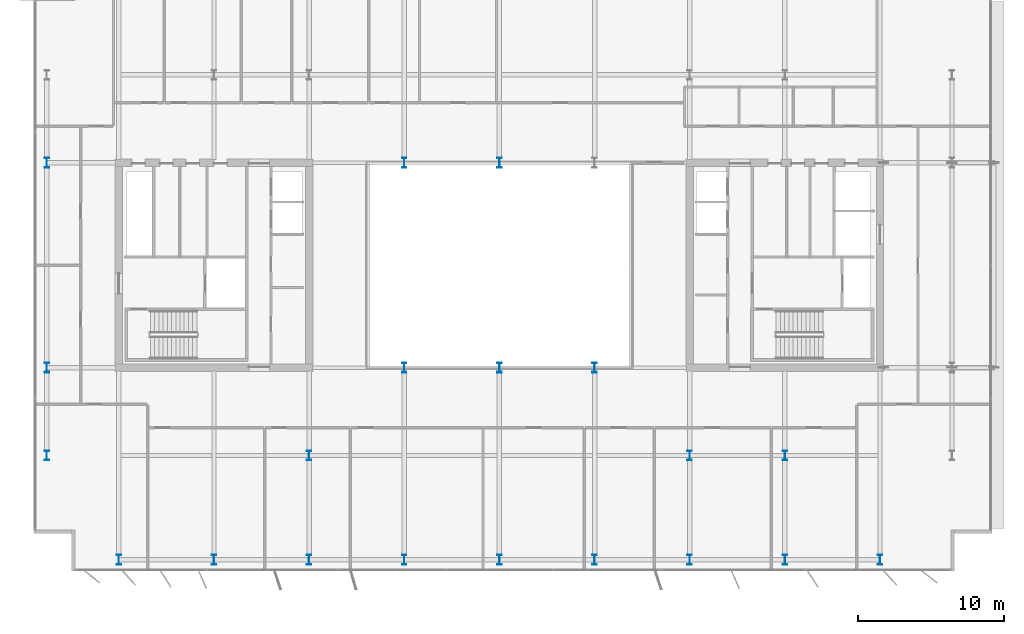
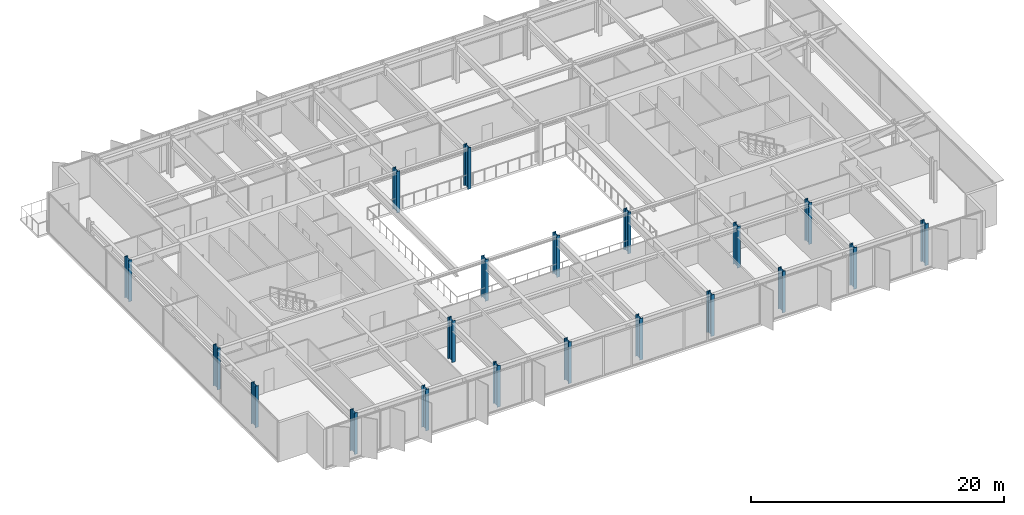
# One storey, part 1 of 20: 20 columns.
"""IFC4 building model written with IfcOpenShell, lengths in metres."""

import ifcopenshell
import ifcopenshell.guid

model = None  # the IFC model being written
_history = None  # IfcOwnerHistory: only IFC2X3 demands one
_inside = {}  # id of a spatial element -> (the spatial element, [elements in it])
_under = {}  # id of a project, library or spatial element -> (it, [spatial elements below it])
_declared = {}  # id of a project -> (the project, [libraries it declares])
_typed = {}  # id of a type object -> (the type object, [elements of that type])
_made_of = {}  # id of a material, layer set ... -> (it, [elements and type objects made of it])


def new_model(schema):
    """Start an empty IFC model of exactly this schema.

    Asked for "IFC4X3", IfcOpenShell would pick the latest addendum, in which some entities
    have other attributes; the version numbers below select the first issue.
    IFC2X3 requires an IfcOwnerHistory on every rooted entity: one is made here for all.
    """
    global model, _history
    if schema == "IFC4X3":
        model = ifcopenshell.file(schema_version=(4, 3, 0, 0))
    else:
        model = ifcopenshell.file(schema=schema)
    _inside.clear()
    _under.clear()
    _declared.clear()
    _typed.clear()
    _made_of.clear()
    _history = None
    if model.schema == "IFC2X3":
        org = make("IfcOrganization", Name="unknown")
        user = make(
            "IfcPersonAndOrganization",
            ThePerson=make("IfcPerson", FamilyName="unknown"),
            TheOrganization=org,
        )
        app = make(
            "IfcApplication",
            ApplicationDeveloper=org,
            Version="unknown",
            ApplicationFullName="unknown",
            ApplicationIdentifier="unknown",
        )
        _history = make(
            "IfcOwnerHistory",
            OwningUser=user,
            OwningApplication=app,
            ChangeAction="ADDED",
            CreationDate=0,
        )
    return model


def make(cls, **values):
    """One entity of the class cls with the attributes given. An attribute that is None is left unset."""
    return model.create_entity(
        cls, **{name: value for name, value in values.items() if value is not None}
    )


def rooted(cls, **values):
    """An entity with a GlobalId (a new one), such as an element, a storey or a relation."""
    return make(cls, GlobalId=ifcopenshell.guid.new(), OwnerHistory=_history, **values)


def si_unit(unit_type, name, prefix=None):
    """IfcSIUnit, for example si_unit("LENGTHUNIT", "METRE", prefix="MILLI")."""
    return make("IfcSIUnit", UnitType=unit_type, Prefix=prefix, Name=name)


def assignment(units):
    """IfcUnitAssignment: the units of a project."""
    return None if units is None else make("IfcUnitAssignment", Units=units)


def point(xyz):
    """IfcCartesianPoint."""
    return None if xyz is None else make("IfcCartesianPoint", Coordinates=xyz)


def direction(xyz):
    """IfcDirection."""
    return None if xyz is None else make("IfcDirection", DirectionRatios=xyz)


def frame(location, z_axis=None, x_axis=None):
    """IfcAxis2Placement3D, a coordinate frame: its origin and axes. An axis left out is left unset."""
    return make(
        "IfcAxis2Placement3D",
        Location=point(location),
        Axis=direction(z_axis),
        RefDirection=direction(x_axis),
    )


def frame_2d(location, x_axis=None):
    """IfcAxis2Placement2D, a coordinate frame in the plane: its origin and x axis."""
    return make(
        "IfcAxis2Placement2D", Location=point(location), RefDirection=direction(x_axis)
    )


def origin():
    """The frame at (0, 0, 0) with its axes left unset."""
    return frame((0.0, 0.0, 0.0))


def origin_2d():
    """The frame at (0, 0) in the plane with its x axis left unset."""
    return frame_2d((0.0, 0.0))


def place(relative_to, where):
    """IfcLocalPlacement: puts the frame where relative to a parent placement (None: the world)."""
    return make(
        "IfcLocalPlacement", PlacementRelTo=relative_to, RelativePlacement=where
    )


def context(
    kind, dimensions, precision=None, world=None, true_north=None, identifier=None
):
    """IfcGeometricRepresentationContext, for example the 3D "Model" context."""
    return make(
        "IfcGeometricRepresentationContext",
        ContextIdentifier=identifier,
        ContextType=kind,
        CoordinateSpaceDimension=dimensions,
        Precision=precision,
        WorldCoordinateSystem=world,
        TrueNorth=true_north,
    )


def subcontext(parent, identifier, kind, view, scale=None):
    """IfcGeometricRepresentationSubContext, for example "Body" below "Model"."""
    return make(
        "IfcGeometricRepresentationSubContext",
        ContextIdentifier=identifier,
        ContextType=kind,
        ParentContext=parent,
        TargetScale=scale,
        TargetView=view,
    )


def project(units=None, contexts=None):
    """IfcProject with its units and contexts."""
    return rooted(
        "IfcProject",
        Name="project",
        RepresentationContexts=contexts,
        UnitsInContext=assignment(units),
    )


def spatial(cls, under=None, at=None, **own):
    """A site, building, storey or space (cls), placed at a placement, below another one or the project."""
    s = rooted(cls, ObjectPlacement=at, **own)
    if under is not None:
        _under.setdefault(under.id(), (under, []))[1].append(s)
    return s


def profile(cls, at=None, kind="AREA", **sizes):
    """A parametric profile (cls). Its sizes go by their IFC names, for example OverallWidth=200.0."""
    return make(cls, ProfileType=kind, Position=at, **sizes)


def i_section(**sizes):
    """IfcIShapeProfileDef."""
    return profile("IfcIShapeProfileDef", **sizes)


def extrude(swept, where, along, depth):
    """IfcExtrudedAreaSolid: the profile swept, set in the frame where, extruded along a direction by depth."""
    return make(
        "IfcExtrudedAreaSolid",
        SweptArea=swept,
        Position=where,
        ExtrudedDirection=direction(along),
        Depth=depth,
    )


def shape(context_of_items, identifier, shape_type, items):
    """IfcShapeRepresentation: the items that make up one representation, for example the "Body"."""
    return make(
        "IfcShapeRepresentation",
        ContextOfItems=context_of_items,
        RepresentationIdentifier=identifier,
        RepresentationType=shape_type,
        Items=items,
    )


def material(Name=None, Category=None):
    """IfcMaterial."""
    return make("IfcMaterial", Name=Name, Category=Category)


def material_profile(
    of_material, cross_section, Name=None, Category=None, Priority=None
):
    """IfcMaterialProfile: a cross section and its material."""
    return make(
        "IfcMaterialProfile",
        Name=Name,
        Material=of_material,
        Profile=cross_section,
        Priority=Priority,
        Category=Category,
    )


def profile_set(profiles, Name=None, composite=None):
    """IfcMaterialProfileSet."""
    return make(
        "IfcMaterialProfileSet",
        Name=Name,
        MaterialProfiles=profiles,
        CompositeProfile=composite,
    )


def made_of(thing, what):
    """Note that an element or type object is made of a material, layer set ...; save() writes the relation."""
    if what is not None:
        _made_of.setdefault(what.id(), (what, []))[1].append(thing)
    return thing


def type_object(cls, material=None, **own):
    """A type object (cls), such as IfcWallType, which elements share."""
    return made_of(rooted(cls, **own), material)


def element(
    cls,
    number,
    at=None,
    inside=None,
    cuts=None,
    type_object=None,
    material=None,
    context=None,
    identifier="Body",
    shape_type=None,
    held_by="IfcProductDefinitionShape",
    body=None,
    shapes=None,
    **own,
):
    """One element of the class cls, such as IfcWall. Its Tag is "e" and its number.

    at: its placement. inside: the storey or other place that contains it. cuts: it is an
    opening in that element (IfcRelVoidsElement). A single representation is given by context,
    identifier, shape_type and body (its items); several are given by shapes. held_by: the class
    of the entity that holds the representations. save() writes the other relations.
    """
    e = rooted(cls, Tag="e%d" % number, ObjectPlacement=at, **own)
    if body is not None:
        shapes = [shape(context, identifier, shape_type, body)]
    if shapes is not None:
        e.Representation = make(held_by, Representations=shapes)
    if inside is not None:
        _inside.setdefault(inside.id(), (inside, []))[1].append(e)
    if cuts is not None:
        rooted(
            "IfcRelVoidsElement", RelatingBuildingElement=cuts, RelatedOpeningElement=e
        )
    if type_object is not None:
        _typed.setdefault(type_object.id(), (type_object, []))[1].append(e)
    return made_of(e, material)


def aggregate(whole, parts):
    """IfcRelAggregates: a whole, such as a stair, and the parts it consists of."""
    return rooted("IfcRelAggregates", RelatingObject=whole, RelatedObjects=parts)


def save(model, path):
    """Write the relations noted so far, then the file.

    IfcRelAggregates (storeys below a building ...), IfcRelContainedInSpatialStructure (elements
    in a storey), IfcRelDefinesByType, IfcRelAssociatesMaterial and IfcRelDeclares: one each for
    every whole, place, type object, material and project.
    """
    for whole, parts in _under.values():
        aggregate(whole, parts)
    for where, things in _inside.values():
        rooted(
            "IfcRelContainedInSpatialStructure",
            RelatedElements=things,
            RelatingStructure=where,
        )
    for kind, things in _typed.values():
        rooted("IfcRelDefinesByType", RelatedObjects=things, RelatingType=kind)
    for what, things in _made_of.values():
        rooted("IfcRelAssociatesMaterial", RelatedObjects=things, RelatingMaterial=what)
    for by, libraries in _declared.values():
        rooted("IfcRelDeclares", RelatingContext=by, RelatedDefinitions=libraries)
    model.write(path)


model = new_model("IFC4")

# Units and contexts
model_context = context("Model", 3, precision=1e-05, world=origin(), true_north=direction((0.0, 1.0)))
body_context = subcontext(model_context, "Body", "Model", "MODEL_VIEW")
ifc_project = project(units=[si_unit("LENGTHUNIT", "METRE"), si_unit("AREAUNIT", "SQUARE_METRE"), si_unit("VOLUMEUNIT", "CUBIC_METRE"), si_unit("PLANEANGLEUNIT", "RADIAN"), si_unit("MASSUNIT", "GRAM", prefix="KILO")], contexts=[model_context])

# Site, building, storey
site_placement = place(None, origin())
site = spatial("IfcSite", under=ifc_project, at=site_placement, CompositionType="ELEMENT")
building_placement = place(site_placement, origin())
building = spatial("IfcBuilding", under=site, at=building_placement, Name="Putna Gate Headquarters", CompositionType="ELEMENT")
storey_placement = place(building_placement, frame((0.0, 0.0, 282.39990234375)))
storey = spatial("IfcBuildingStorey", under=building, at=storey_placement, Name="L71", CompositionType="ELEMENT", Elevation=282.39990234375)

# Columns
ifc_material = material(Name="Steel S460M", Category="steel")
ifc_material_profile_1 = material_profile(ifc_material, i_section(OverallWidth=0.304931640625, OverallDepth=0.66796875, WebThickness=0.02099609375, FlangeThickness=0.0400390625, at=origin_2d()), Name="Steel S460M")
ifc_profile_set_1 = profile_set([ifc_material_profile_1], Name="Steel S460M")
column_type_1 = type_object("IfcColumnType", Name="COL-STL-HEM650-EXT", PredefinedType="COLUMN", material=ifc_profile_set_1)
for number, where, z_axis, x_axis, name in (
    (1, (13.0, 5.8798828125, 0.0), (0.0, 0.0, 1.0), (1.0, 0.0, 0.0), "L71 Column CP-S13"),
    (2, (19.5, 5.8798828125, 0.0), (0.0, 0.0, 1.0), (1.0, 0.0, 0.0), "L71 Column CP-S19"),
    (3, (26.0, 5.8798828125, 0.0), (0.0, 0.0, 1.0), (1.0, 0.0, 0.0), "L71 Column CP-S26"),
    (4, (32.5, 5.8798828125, 0.0), (0.0, 0.0, 1.0), (1.0, 0.0, 0.0), "L71 Column CP-S32"),
    (5, (39.0, 5.8798828125, 0.0), (0.0, 0.0, 1.0), (1.0, 0.0, 0.0), "L71 Column CP-S39"),
    (6, (45.5, 5.8798828125, 0.0), (0.0, 0.0, 1.0), (1.0, 0.0, 0.0), "L71 Column CP-S45"),
    (7, (52.0, 5.8798828125, 0.0), (0.0, 0.0, 1.0), (1.0, 0.0, 0.0), "L71 Column CP-S52"),
    (8, (58.5, 5.8798828125, 0.0), (0.0, 0.0, 1.0), (1.0, 0.0, 0.0), "L71 Column CP-S58"),
    (9, (65.0, 5.8798828125, 0.0), (0.0, 0.0, 1.0), (1.0, 0.0, 0.0), "L71 Column CP-S65"),
    (10, (8.080078125, 13.0, 0.0), (0.0, 0.0, 1.0), (1.0, 0.0, 0.0), "L71 Column CP-W13"),
    (11, (8.080078125, 19.0, 0.0), (0.0, 0.0, 1.0), (1.0, 0.0, 0.0), "L71 Column CP-W19"),
    (12, (8.080078125, 33.0, 0.0), (0.0, 0.0, 1.0), (1.0, 0.0, 0.0), "L71 Column CP-W33"),
):
    element("IfcColumn", number, at=place(storey_placement, frame(where, z_axis=z_axis, x_axis=x_axis)), inside=storey, type_object=column_type_1, Name=name, PredefinedType="COLUMN", context=body_context, shape_type="SweptSolid", body=[
        extrude(i_section(OverallWidth=0.304931640625, OverallDepth=0.66796875, WebThickness=0.02099609375, FlangeThickness=0.0400390625, at=origin_2d()), origin(), (0.0, 0.0, 1.0), 4.0),
    ])
ifc_material_profile_2 = material_profile(ifc_material, i_section(OverallWidth=0.304931640625, OverallDepth=0.66796875, WebThickness=0.02099609375, FlangeThickness=0.0400390625, at=origin_2d()), Name="Steel S460M")
ifc_profile_set_2 = profile_set([ifc_material_profile_2], Name="Steel S460M")
column_type_2 = type_object("IfcColumnType", Name="COL-STL-HEM650-INT", PredefinedType="COLUMN", material=ifc_profile_set_2)
for number, where, z_axis, x_axis, name in (
    (13, (58.5, 13.0, 0.0), (0.0, 0.0, 1.0), (1.0, 0.0, 0.0), "L71 Column CSI-ES"),
    (14, (32.5, 19.0, 0.0), (0.0, 0.0, 1.0), (1.0, 0.0, 0.0), "L71 Column CAI-S32"),
    (15, (32.5, 33.0, 0.0), (0.0, 0.0, 1.0), (1.0, 0.0, 0.0), "L71 Column CAI-N32"),
    (16, (39.0, 19.0, 0.0), (0.0, 0.0, 1.0), (1.0, 0.0, 0.0), "L71 Column CAI-S39"),
    (17, (39.0, 33.0, 0.0), (0.0, 0.0, 1.0), (1.0, 0.0, 0.0), "L71 Column CAI-N39"),
    (18, (45.5, 19.0, 0.0), (0.0, 0.0, 1.0), (1.0, 0.0, 0.0), "L71 Column CAI-S45"),
    (19, (26.0, 13.0, 0.0), (0.0, 0.0, 1.0), (1.0, 0.0, 0.0), "L71 Column CAP-WS"),
    (20, (52.0, 13.0, 0.0), (0.0, 0.0, 1.0), (1.0, 0.0, 0.0), "L71 Column CAP-ES"),
):
    element("IfcColumn", number, at=place(storey_placement, frame(where, z_axis=z_axis, x_axis=x_axis)), inside=storey, type_object=column_type_2, Name=name, PredefinedType="COLUMN", context=body_context, shape_type="SweptSolid", body=[
        extrude(i_section(OverallWidth=0.304931640625, OverallDepth=0.66796875, WebThickness=0.02099609375, FlangeThickness=0.0400390625, at=origin_2d()), origin(), (0.0, 0.0, 1.0), 4.0),
    ])

save(model, "model.ifc")
